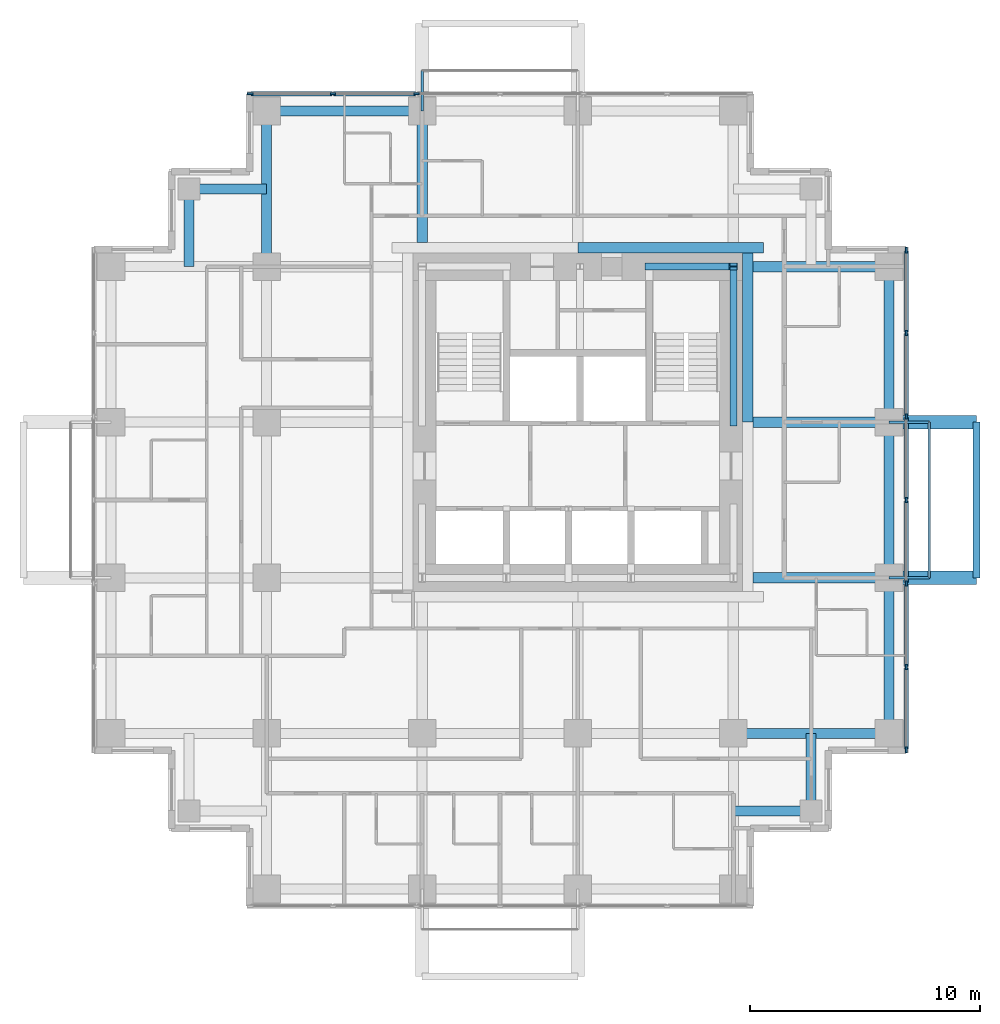
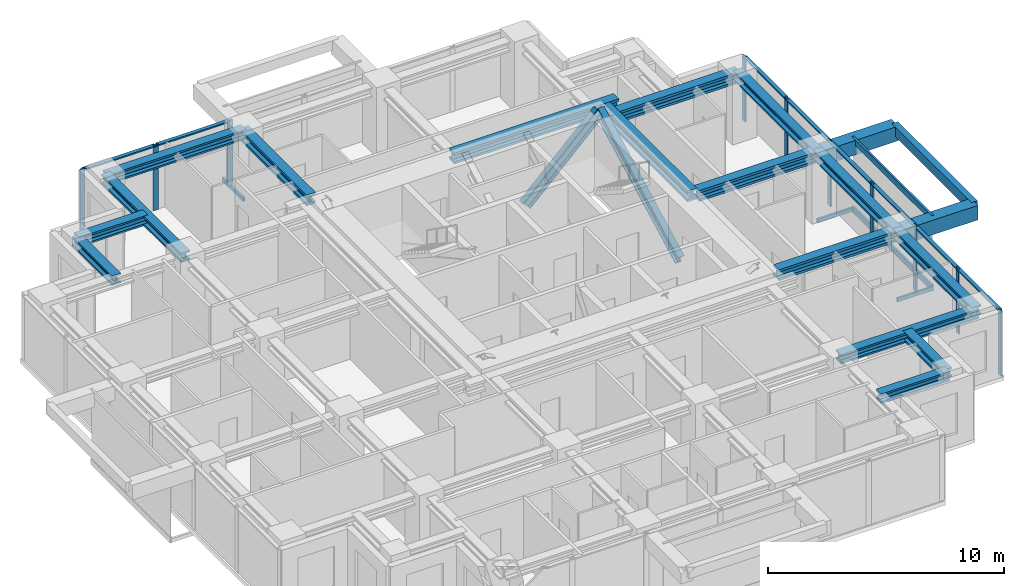
# One storey, part 3 of 10: 25 members, 19 beams, 2 elements without a shape of their own.
"""IFC4 building model written with IfcOpenShell, lengths in metres."""

from ifc_helpers import new_model, si_unit, direction, frame, origin, origin_2d, place, context, subcontext, project, spatial, rectangle, hollow_rectangle, i_section, extrude, material, material_profile, profile_set, type_object, element, aggregate, save


model = new_model("IFC4")

# Units and contexts
model_context = context("Model", 3, precision=1e-05, world=origin(), true_north=direction((0.0, 1.0)))
body_context = subcontext(model_context, "Body", "Model", "MODEL_VIEW")
ifc_project = project(units=[si_unit("LENGTHUNIT", "METRE"), si_unit("AREAUNIT", "SQUARE_METRE"), si_unit("VOLUMEUNIT", "CUBIC_METRE"), si_unit("PLANEANGLEUNIT", "RADIAN"), si_unit("MASSUNIT", "GRAM", prefix="KILO")], contexts=[model_context])

# Site, building, storey
site_placement = place(None, origin())
site = spatial("IfcSite", under=ifc_project, at=site_placement, CompositionType="ELEMENT")
building_placement = place(site_placement, origin())
building = spatial("IfcBuilding", under=site, at=building_placement, Name="Nyansa Garden Tower", CompositionType="ELEMENT")
storey_placement = place(building_placement, frame((0.0, 0.0, 174.60009765625)))
storey = spatial("IfcBuildingStorey", under=building, at=storey_placement, Name="L47", CompositionType="ELEMENT", Elevation=174.60009765625)

# Beams
ifc_material_1 = material(Name="Concrete C70/85", Category="concrete")
ifc_material_profile_1 = material_profile(ifc_material_1, rectangle(XDim=0.60009765625, YDim=0.75, at=origin_2d()), Name="RC 600x750")
ifc_profile_set_1 = profile_set([ifc_material_profile_1], Name="Concrete C70/85")
beam_type_1 = type_object("IfcBeamType", Name="Balcony cantilever beam CB1 RC 600x750", PredefinedType="BEAM", material=ifc_profile_set_1)
for number, where, z_axis, x_axis, name in (
    (1, (33.75, 13.5, 2.98486328125), (1.0, 0.0, 0.0), (0.0, 1.0, 0.0), "Balcony cantilever beam L48"),
    (2, (33.75, 20.25, 2.98486328125), (1.0, 0.0, 0.0), (0.0, 1.0, 0.0), "Balcony cantilever beam L48"),
):
    element("IfcBeam", number, at=place(storey_placement, frame(where, z_axis=z_axis, x_axis=x_axis)), inside=storey, type_object=beam_type_1, Name=name, PredefinedType="BEAM", context=body_context, shape_type="SweptSolid", body=[
        extrude(rectangle(XDim=0.60009765625, YDim=0.75, at=origin_2d()), origin(), (0.0, 0.0, 1.0), 3.800048828125),
    ])
ifc_material_2 = material(Name="Concrete C70/85", Category="concrete")
ifc_material_profile_2 = material_profile(ifc_material_2, rectangle(XDim=0.300048828125, YDim=0.5, at=origin_2d()), Name="RC 300x500")
ifc_profile_set_2 = profile_set([ifc_material_profile_2], Name="Concrete C70/85")
beam_type_2 = type_object("IfcBeamType", Name="Balcony edge beam BE1 RC 300x500", PredefinedType="BEAM", material=ifc_profile_set_2)
beam_1_placement = place(storey_placement, frame((37.550048828125, 13.5, 3.10986328125), z_axis=(0.0, 1.0, 0.0), x_axis=(-1.0, 0.0, 0.0)))
element("IfcBeam", 3, at=beam_1_placement, inside=storey, type_object=beam_type_2, Name="Balcony edge beam L48", PredefinedType="BEAM", context=body_context, shape_type="SweptSolid", body=[
    extrude(rectangle(XDim=0.300048828125, YDim=0.5, at=origin_2d()), origin(), (0.0, 0.0, 1.0), 6.75),
])

# Curtain wall, members
ifc_material_3 = material(Name="Black anodised aluminium, dark tinted double glazing", Category="aluminium")
curtain_wall_type = type_object("IfcCurtainWallType", Name="Inner skin curtain wall ISW-C", PredefinedType="USERDEFINED", material=ifc_material_3)
curtain_wall_1_placement = place(storey_placement, origin())
curtain_wall_1 = element("IfcCurtainWall", 4, at=curtain_wall_1_placement, inside=storey, type_object=curtain_wall_type, Name="Inner skin curtain wall L47 E", ObjectType="UNITISED CURTAIN WALL", PredefinedType="USERDEFINED")
ifc_material_4 = material(Name="Black anodised aluminium", Category="aluminium")
ifc_material_profile_3 = material_profile(ifc_material_4, rectangle(XDim=0.070068359375, YDim=0.25, at=origin_2d()), Name="Mullion 250x70")
ifc_profile_set_3 = profile_set([ifc_material_profile_3], Name="Black anodised aluminium")
member_type_1 = type_object("IfcMemberType", Name="Mullion ISW-C 250x70", PredefinedType="MULLION", material=ifc_profile_set_3)
member_1_placement = place(storey_placement, frame((34.5, 6.034912109375, 0.0), z_axis=(0.0, 0.0, 1.0), x_axis=(-1.0, 0.0, 0.0)))
member_1 = element("IfcMember", 5, at=member_1_placement, type_object=member_type_1, Name="ISW-C mullion 1", PredefinedType="MULLION", context=body_context, shape_type="SweptSolid", body=[
    extrude(rectangle(XDim=0.070068359375, YDim=0.25, at=origin_2d()), origin(), (0.0, 0.0, 1.0), 3.375),
])
member_2_placement = place(storey_placement, frame((34.5, 9.625, 0.0), z_axis=(0.0, 0.0, 1.0), x_axis=(-1.0, 0.0, 0.0)))
member_2 = element("IfcMember", 6, at=member_2_placement, type_object=member_type_1, Name="ISW-C mullion 2", PredefinedType="MULLION", context=body_context, shape_type="SweptSolid", body=[
    extrude(rectangle(XDim=0.070068359375, YDim=0.25, at=origin_2d()), origin(), (0.0, 0.0, 1.0), 3.375),
])
member_3_placement = place(storey_placement, frame((34.5, 13.25, 0.0), z_axis=(0.0, 0.0, 1.0), x_axis=(-1.0, 0.0, 0.0)))
member_3 = element("IfcMember", 7, at=member_3_placement, type_object=member_type_1, Name="ISW-C mullion 3", PredefinedType="MULLION", context=body_context, shape_type="SweptSolid", body=[
    extrude(rectangle(XDim=0.070068359375, YDim=0.25, at=origin_2d()), origin(), (0.0, 0.0, 1.0), 3.375),
])
member_4_placement = place(storey_placement, frame((34.5, 16.875, 0.0), z_axis=(0.0, 0.0, 1.0), x_axis=(-1.0, 0.0, 0.0)))
member_4 = element("IfcMember", 8, at=member_4_placement, type_object=member_type_1, Name="ISW-C mullion 4", PredefinedType="MULLION", context=body_context, shape_type="SweptSolid", body=[
    extrude(rectangle(XDim=0.070068359375, YDim=0.25, at=origin_2d()), origin(), (0.0, 0.0, 1.0), 3.375),
])
member_5_placement = place(storey_placement, frame((34.5, 20.5, 0.0), z_axis=(0.0, 0.0, 1.0), x_axis=(-1.0, 0.0, 0.0)))
member_5 = element("IfcMember", 9, at=member_5_placement, type_object=member_type_1, Name="ISW-C mullion 5", PredefinedType="MULLION", context=body_context, shape_type="SweptSolid", body=[
    extrude(rectangle(XDim=0.070068359375, YDim=0.25, at=origin_2d()), origin(), (0.0, 0.0, 1.0), 3.375),
])
member_6_placement = place(storey_placement, frame((34.5, 24.125, 0.0), z_axis=(0.0, 0.0, 1.0), x_axis=(-1.0, 0.0, 0.0)))
member_6 = element("IfcMember", 10, at=member_6_placement, type_object=member_type_1, Name="ISW-C mullion 6", PredefinedType="MULLION", context=body_context, shape_type="SweptSolid", body=[
    extrude(rectangle(XDim=0.070068359375, YDim=0.25, at=origin_2d()), origin(), (0.0, 0.0, 1.0), 3.375),
])
member_7_placement = place(storey_placement, frame((34.5, 27.715087890625, 0.0), z_axis=(0.0, 0.0, 1.0), x_axis=(-1.0, 0.0, 0.0)))
member_7 = element("IfcMember", 11, at=member_7_placement, type_object=member_type_1, Name="ISW-C mullion 7", PredefinedType="MULLION", context=body_context, shape_type="SweptSolid", body=[
    extrude(rectangle(XDim=0.070068359375, YDim=0.25, at=origin_2d()), origin(), (0.0, 0.0, 1.0), 3.375),
])

curtain_wall_2_placement = place(storey_placement, origin())
curtain_wall_2 = element("IfcCurtainWall", 12, at=curtain_wall_2_placement, inside=storey, type_object=curtain_wall_type, Name="Inner skin curtain wall L47 N", ObjectType="UNITISED CURTAIN WALL", PredefinedType="USERDEFINED")
member_8_placement = place(storey_placement, frame((13.25, 34.5, 0.0), z_axis=(0.0, 0.0, 1.0), x_axis=(0.0, -1.0, 0.0)))
member_8 = element("IfcMember", 13, at=member_8_placement, type_object=member_type_1, Name="ISW-C mullion 5", PredefinedType="MULLION", context=body_context, shape_type="SweptSolid", body=[
    extrude(rectangle(XDim=0.070068359375, YDim=0.25, at=origin_2d()), origin(), (0.0, 0.0, 1.0), 3.375),
])
member_9_placement = place(storey_placement, frame((9.625, 34.5, 0.0), z_axis=(0.0, 0.0, 1.0), x_axis=(0.0, -1.0, 0.0)))
member_9 = element("IfcMember", 14, at=member_9_placement, type_object=member_type_1, Name="ISW-C mullion 6", PredefinedType="MULLION", context=body_context, shape_type="SweptSolid", body=[
    extrude(rectangle(XDim=0.070068359375, YDim=0.25, at=origin_2d()), origin(), (0.0, 0.0, 1.0), 3.375),
])
member_10_placement = place(storey_placement, frame((6.034912109375, 34.5, 0.0), z_axis=(0.0, 0.0, 1.0), x_axis=(0.0, -1.0, 0.0)))
member_10 = element("IfcMember", 15, at=member_10_placement, type_object=member_type_1, Name="ISW-C mullion 7", PredefinedType="MULLION", context=body_context, shape_type="SweptSolid", body=[
    extrude(rectangle(XDim=0.070068359375, YDim=0.25, at=origin_2d()), origin(), (0.0, 0.0, 1.0), 3.375),
])

# Members
ifc_material_5 = material(Name="Steel S355, black powder coated", Category="steel")
ifc_material_profile_4 = material_profile(ifc_material_5, hollow_rectangle(XDim=0.10009765625, YDim=0.199951171875, WallThickness=0.008056640625, at=origin_2d()), Name="RHS 200x100x8")
ifc_profile_set_4 = profile_set([ifc_material_profile_4], Name="Steel S355, black powder coated")
member_type_2 = type_object("IfcMemberType", Name="Outer skin bracket arm RHS 200x100x8", PredefinedType="USERDEFINED", material=ifc_profile_set_4)
for number, where, z_axis, x_axis, name in (
    (16, (33.75, 13.5, -0.375), (1.0, 0.0, 0.0), (0.0, 1.0, 0.0), "Outer skin bracket arm"),
    (17, (33.75, 20.25, -0.375), (1.0, 0.0, 0.0), (0.0, 1.0, 0.0), "Outer skin bracket arm"),
    (18, (13.5, 33.75, -0.375), (0.0, 1.0, 0.0), (-1.0, 0.0, 0.0), "Outer skin bracket arm"),
):
    element("IfcMember", number, at=place(storey_placement, frame(where, z_axis=z_axis, x_axis=x_axis)), inside=storey, type_object=member_type_2, Name=name, ObjectType="OUTER SKIN BRACKET", PredefinedType="USERDEFINED", context=body_context, shape_type="SweptSolid", body=[
        extrude(hollow_rectangle(XDim=0.10009765625, YDim=0.199951171875, WallThickness=0.008056640625, at=origin_2d()), origin(), (0.0, 0.0, 1.0), 1.75),
    ])
ifc_material_6 = material(Name="Steel S355, black powder coated", Category="steel")
ifc_material_profile_5 = material_profile(ifc_material_6, hollow_rectangle(XDim=0.10009765625, YDim=0.300048828125, WallThickness=0.010009765625, at=origin_2d()), Name="RHS 300x100x10")
ifc_profile_set_5 = profile_set([ifc_material_profile_5], Name="Steel S355, black powder coated")
member_type_3 = type_object("IfcMemberType", Name="Outer skin rail RHS 300x100x10", PredefinedType="USERDEFINED", material=ifc_profile_set_5)
for number, where, z_axis, x_axis, name in (
    (19, (35.5, 13.5, -0.375), (0.0, 1.0, 0.0), (-1.0, 0.0, 0.0), "Outer skin rail L47"),
    (20, (35.5, 13.5, 3.224853515625), (0.0, 1.0, 0.0), (-1.0, 0.0, 0.0), "Outer skin rail L47 head"),
):
    element("IfcMember", number, at=place(storey_placement, frame(where, z_axis=z_axis, x_axis=x_axis)), inside=storey, type_object=member_type_3, Name=name, ObjectType="OUTER SKIN RAIL", PredefinedType="USERDEFINED", context=body_context, shape_type="SweptSolid", body=[
        extrude(hollow_rectangle(XDim=0.10009765625, YDim=0.300048828125, WallThickness=0.010009765625, at=origin_2d()), origin(), (0.0, 0.0, 1.0), 6.75),
    ])
ifc_material_7 = material(Name="Steel S355", Category="steel")
ifc_material_profile_6 = material_profile(ifc_material_7, i_section(OverallWidth=0.305908203125, OverallDepth=0.52392578125, WebThickness=0.02099609375, FlangeThickness=0.0400390625, FilletRadius=0.027099609375, at=origin_2d()), Name="HE 500 M")
ifc_profile_set_6 = profile_set([ifc_material_profile_6], Name="Steel S355")
member_type_4 = type_object("IfcMemberType", Name="Perimeter brace HE 500 M", PredefinedType="BRACE", material=ifc_profile_set_6)
member_11_placement = place(storey_placement, frame((23.35009765625, 27.0, 0.0), z_axis=(0.711971340796, 0.0, 0.702208523079), x_axis=(0.0, 1.0, 0.0)))
element("IfcMember", 21, at=member_11_placement, inside=storey, type_object=member_type_4, Name="Core brace CN4 L47", PredefinedType="BRACE", context=body_context, shape_type="SweptSolid", body=[
    extrude(i_section(OverallWidth=0.305908203125, OverallDepth=0.52392578125, WebThickness=0.02099609375, FlangeThickness=0.0400390625, FilletRadius=0.027099609375, at=origin_2d()), origin(), (0.0, 0.0, 1.0), 5.12646484375),
])
member_12_placement = place(storey_placement, frame((27.0, 20.199951171875, 0.0), z_axis=(0.0, 0.883797178129, 0.467870225524), x_axis=(-1.0, 0.0, 0.0)))
element("IfcMember", 22, at=member_12_placement, inside=storey, type_object=member_type_4, Name="Core brace CE8 L47", PredefinedType="BRACE", context=body_context, shape_type="SweptSolid", body=[
    extrude(i_section(OverallWidth=0.305908203125, OverallDepth=0.52392578125, WebThickness=0.02099609375, FlangeThickness=0.0400390625, FilletRadius=0.027099609375, at=origin_2d()), origin(), (0.0, 0.0, 1.0), 7.694091796875),
])

# Beams
ifc_material_8 = material(Name="Steel S355", Category="steel")
ifc_material_profile_7 = material_profile(ifc_material_8, i_section(OverallWidth=0.431884765625, OverallDepth=0.498046875, WebThickness=0.0556640625, FlangeThickness=0.0888671875, FilletRadius=0.014892578125, at=origin_2d()), Name="HD 400x744")
ifc_profile_set_7 = profile_set([ifc_material_profile_7], Name="Steel S355")
beam_type_3 = type_object("IfcBeamType", Name="Steel beam SBC1-744 HD 400x744", PredefinedType="BEAM", material=ifc_profile_set_7)
for number, where, z_axis, x_axis, name in (
    (23, (6.75, 27.0, 3.1259765625), (0.0, 1.0, 0.0), (-1.0, 0.0, 0.0), "Steel beam 3/H-3/J L48"),
    (24, (27.0, 6.75, 3.1259765625), (1.0, 0.0, 0.0), (0.0, 1.0, 0.0), "Steel beam 6/E-7/E L48"),
):
    element("IfcBeam", number, at=place(storey_placement, frame(where, z_axis=z_axis, x_axis=x_axis)), inside=storey, type_object=beam_type_3, Name=name, PredefinedType="BEAM", context=body_context, shape_type="SweptSolid", body=[
        extrude(i_section(OverallWidth=0.431884765625, OverallDepth=0.498046875, WebThickness=0.0556640625, FlangeThickness=0.0888671875, FilletRadius=0.014892578125, at=origin_2d()), origin(), (0.0, 0.0, 1.0), 6.75),
    ])
ifc_material_9 = material(Name="Steel S355", Category="steel")
ifc_material_profile_8 = material_profile(ifc_material_9, i_section(OverallWidth=0.4541015625, OverallDepth=0.569091796875, WebThickness=0.077880859375, FlangeThickness=0.125, FilletRadius=0.014892578125, at=origin_2d()), Name="HD 400x1086")
ifc_profile_set_8 = profile_set([ifc_material_profile_8], Name="Steel S355")
beam_type_4 = type_object("IfcBeamType", Name="Steel beam SCL-1086 HD 400x1086", PredefinedType="BEAM", material=ifc_profile_set_8)
beam_2_placement = place(storey_placement, frame((13.5, 28.050048828125, 3.09033203125), z_axis=(0.0, 1.0, 0.0), x_axis=(-1.0, 0.0, 0.0)))
element("IfcBeam", 25, at=beam_2_placement, inside=storey, type_object=beam_type_4, Name="Steel beam 4/28.050-4/J L48", PredefinedType="BEAM", context=body_context, shape_type="SweptSolid", body=[
    extrude(i_section(OverallWidth=0.4541015625, OverallDepth=0.569091796875, WebThickness=0.077880859375, FlangeThickness=0.125, FilletRadius=0.014892578125, at=origin_2d()), origin(), (0.0, 0.0, 1.0), 5.699951171875),
])
for number, where, z_axis, x_axis, name in (
    (26, (27.85009765625, 13.5, 3.09033203125), (1.0, 0.0, 0.0), (0.0, 1.0, 0.0), "Steel beam 27.850/F-7/F L48"),
    (27, (27.85009765625, 20.25, 3.09033203125), (1.0, 0.0, 0.0), (0.0, 1.0, 0.0), "Steel beam 27.850/G-7/G L48"),
    (28, (27.85009765625, 27.0, 3.09033203125), (1.0, 0.0, 0.0), (0.0, 1.0, 0.0), "Steel beam 27.850/H-7/H L48"),
):
    element("IfcBeam", number, at=place(storey_placement, frame(where, z_axis=z_axis, x_axis=x_axis)), inside=storey, type_object=beam_type_4, Name=name, PredefinedType="BEAM", context=body_context, shape_type="SweptSolid", body=[
        extrude(i_section(OverallWidth=0.4541015625, OverallDepth=0.569091796875, WebThickness=0.077880859375, FlangeThickness=0.125, FilletRadius=0.014892578125, at=origin_2d()), origin(), (0.0, 0.0, 1.0), 5.89990234375),
    ])
beam_3_placement = place(storey_placement, frame((27.626953125, 20.25, 3.09033203125), z_axis=(0.0, 1.0, 0.0), x_axis=(-1.0, 0.0, 0.0)))
element("IfcBeam", 29, at=beam_3_placement, inside=storey, type_object=beam_type_4, Name="Steel core ledger beam E.2 L48", PredefinedType="BEAM", context=body_context, shape_type="SweptSolid", body=[
    extrude(i_section(OverallWidth=0.4541015625, OverallDepth=0.569091796875, WebThickness=0.077880859375, FlangeThickness=0.125, FilletRadius=0.014892578125, at=origin_2d()), origin(), (0.0, 0.0, 1.0), 7.35009765625),
])
beam_4_placement = place(storey_placement, frame((28.300048828125, 27.826904296875, 3.09033203125), z_axis=(-1.0, 0.0, 0.0), x_axis=(0.0, -1.0, 0.0)))
element("IfcBeam", 30, at=beam_4_placement, inside=storey, type_object=beam_type_4, Name="Steel core ledger beam N.1 L48", PredefinedType="BEAM", context=body_context, shape_type="SweptSolid", body=[
    extrude(i_section(OverallWidth=0.4541015625, OverallDepth=0.569091796875, WebThickness=0.077880859375, FlangeThickness=0.125, FilletRadius=0.014892578125, at=origin_2d()), origin(), (0.0, 0.0, 1.0), 8.050048828125),
])
ifc_material_10 = material(Name="Steel S355", Category="steel")
ifc_material_profile_9 = material_profile(ifc_material_10, i_section(OverallWidth=0.431884765625, OverallDepth=0.498046875, WebThickness=0.0556640625, FlangeThickness=0.0888671875, FilletRadius=0.014892578125, at=origin_2d()), Name="HD 400x744")
ifc_profile_set_9 = profile_set([ifc_material_profile_9], Name="Steel S355")
beam_type_5 = type_object("IfcBeamType", Name="Steel beam SEBC-744 HD 400x744", PredefinedType="BEAM", material=ifc_profile_set_9)
for number, where, z_axis, x_axis, name in (
    (31, (6.75, 33.75, 3.1259765625), (1.0, 0.0, 0.0), (0.0, 1.0, 0.0), "Steel edge beam 3/J-4/J L48"),
    (32, (33.75, 6.75, 3.1259765625), (0.0, 1.0, 0.0), (-1.0, 0.0, 0.0), "Steel edge beam 7/E-7/F L48"),
    (33, (33.75, 13.5, 3.1259765625), (0.0, 1.0, 0.0), (-1.0, 0.0, 0.0), "Steel edge beam 7/F-7/G L48"),
    (34, (33.75, 20.25, 3.1259765625), (0.0, 1.0, 0.0), (-1.0, 0.0, 0.0), "Steel edge beam 7/G-7/H L48"),
):
    element("IfcBeam", number, at=place(storey_placement, frame(where, z_axis=z_axis, x_axis=x_axis)), inside=storey, type_object=beam_type_5, Name=name, PredefinedType="BEAM", context=body_context, shape_type="SweptSolid", body=[
        extrude(i_section(OverallWidth=0.431884765625, OverallDepth=0.498046875, WebThickness=0.0556640625, FlangeThickness=0.0888671875, FilletRadius=0.014892578125, at=origin_2d()), origin(), (0.0, 0.0, 1.0), 6.75),
    ])
ifc_material_11 = material(Name="Steel S355", Category="steel")
ifc_material_profile_10 = material_profile(ifc_material_11, i_section(OverallWidth=0.431884765625, OverallDepth=0.498046875, WebThickness=0.0556640625, FlangeThickness=0.0888671875, FilletRadius=0.014892578125, at=origin_2d()), Name="HD 400x744")
ifc_profile_set_10 = profile_set([ifc_material_profile_10], Name="Steel S355")
beam_type_6 = type_object("IfcBeamType", Name="Steel beam SSB1-744 HD 400x744", PredefinedType="BEAM", material=ifc_profile_set_10)
for number, where, z_axis, x_axis, name in (
    (35, (30.375, 3.375, 3.1259765625), (0.0, 1.0, 0.0), (-1.0, 0.0, 0.0), "Steel step beam 30.375/3.375 L48"),
    (36, (30.375, 3.375, 3.1259765625), (-1.0, 0.0, 0.0), (0.0, -1.0, 0.0), "Steel step beam 30.375/3.375 L48"),
    (37, (3.375, 30.375, 3.1259765625), (0.0, -1.0, 0.0), (1.0, 0.0, 0.0), "Steel step beam 3.375/30.375 L48"),
    (38, (3.375, 30.375, 3.1259765625), (1.0, 0.0, 0.0), (0.0, 1.0, 0.0), "Steel step beam 3.375/30.375 L48"),
):
    element("IfcBeam", number, at=place(storey_placement, frame(where, z_axis=z_axis, x_axis=x_axis)), inside=storey, type_object=beam_type_6, Name=name, PredefinedType="BEAM", context=body_context, shape_type="SweptSolid", body=[
        extrude(i_section(OverallWidth=0.431884765625, OverallDepth=0.498046875, WebThickness=0.0556640625, FlangeThickness=0.0888671875, FilletRadius=0.014892578125, at=origin_2d()), origin(), (0.0, 0.0, 1.0), 3.375),
    ])

# Member
ifc_material_12 = material(Name="Black anodised aluminium", Category="aluminium")
ifc_material_profile_11 = material_profile(ifc_material_12, rectangle(XDim=0.179931640625, YDim=0.070068359375, at=origin_2d()), Name="Transom 180x70")
ifc_profile_set_11 = profile_set([ifc_material_profile_11], Name="Black anodised aluminium")
member_type_5 = type_object("IfcMemberType", Name="Transom ISW-C 180x70", PredefinedType="USERDEFINED", material=ifc_profile_set_11)
member_13_placement = place(storey_placement, frame((34.5, 6.070068359375, 3.33984375), z_axis=(0.0, 1.0, 0.0), x_axis=(-1.0, 0.0, 0.0)))
member_13 = element("IfcMember", 39, at=member_13_placement, type_object=member_type_5, Name="ISW-C transom 1", ObjectType="TRANSOM", PredefinedType="USERDEFINED", context=body_context, shape_type="SweptSolid", body=[
    extrude(rectangle(XDim=0.179931640625, YDim=0.070068359375, at=origin_2d()), origin(), (0.0, 0.0, 1.0), 3.52001953125),
])

member_14_placement = place(storey_placement, frame((34.5, 9.659912109375, 3.33984375), z_axis=(0.0, 1.0, 0.0), x_axis=(-1.0, 0.0, 0.0)))
member_14 = element("IfcMember", 40, at=member_14_placement, type_object=member_type_5, Name="ISW-C transom 2", ObjectType="TRANSOM", PredefinedType="USERDEFINED", context=body_context, shape_type="SweptSolid", body=[
    extrude(rectangle(XDim=0.179931640625, YDim=0.070068359375, at=origin_2d()), origin(), (0.0, 0.0, 1.0), 3.55517578125),
])

member_15_placement = place(storey_placement, frame((34.5, 13.284912109375, 3.33984375), z_axis=(0.0, 1.0, 0.0), x_axis=(-1.0, 0.0, 0.0)))
member_15 = element("IfcMember", 41, at=member_15_placement, type_object=member_type_5, Name="ISW-C transom 3", ObjectType="TRANSOM", PredefinedType="USERDEFINED", context=body_context, shape_type="SweptSolid", body=[
    extrude(rectangle(XDim=0.179931640625, YDim=0.070068359375, at=origin_2d()), origin(), (0.0, 0.0, 1.0), 3.55517578125),
])

member_16_placement = place(storey_placement, frame((34.5, 16.909912109375, 3.33984375), z_axis=(0.0, 1.0, 0.0), x_axis=(-1.0, 0.0, 0.0)))
member_16 = element("IfcMember", 42, at=member_16_placement, type_object=member_type_5, Name="ISW-C transom 4", ObjectType="TRANSOM", PredefinedType="USERDEFINED", context=body_context, shape_type="SweptSolid", body=[
    extrude(rectangle(XDim=0.179931640625, YDim=0.070068359375, at=origin_2d()), origin(), (0.0, 0.0, 1.0), 3.55517578125),
])

member_17_placement = place(storey_placement, frame((34.5, 20.534912109375, 3.33984375), z_axis=(0.0, 1.0, 0.0), x_axis=(-1.0, 0.0, 0.0)))
member_17 = element("IfcMember", 43, at=member_17_placement, type_object=member_type_5, Name="ISW-C transom 5", ObjectType="TRANSOM", PredefinedType="USERDEFINED", context=body_context, shape_type="SweptSolid", body=[
    extrude(rectangle(XDim=0.179931640625, YDim=0.070068359375, at=origin_2d()), origin(), (0.0, 0.0, 1.0), 3.55517578125),
])

member_18_placement = place(storey_placement, frame((34.5, 24.159912109375, 3.33984375), z_axis=(0.0, 1.0, 0.0), x_axis=(-1.0, 0.0, 0.0)))
member_18 = element("IfcMember", 44, at=member_18_placement, type_object=member_type_5, Name="ISW-C transom 6", ObjectType="TRANSOM", PredefinedType="USERDEFINED", context=body_context, shape_type="SweptSolid", body=[
    extrude(rectangle(XDim=0.179931640625, YDim=0.070068359375, at=origin_2d()), origin(), (0.0, 0.0, 1.0), 3.52001953125),
])

aggregate(curtain_wall_1, [member_1, member_2, member_3, member_4, member_5, member_6, member_7, member_13, member_14, member_15, member_16, member_17, member_18])

member_19_placement = place(storey_placement, frame((13.215087890625, 34.5, 3.33984375), z_axis=(-1.0, 0.0, 0.0), x_axis=(0.0, -1.0, 0.0)))
member_19 = element("IfcMember", 45, at=member_19_placement, type_object=member_type_5, Name="ISW-C transom 5", ObjectType="TRANSOM", PredefinedType="USERDEFINED", context=body_context, shape_type="SweptSolid", body=[
    extrude(rectangle(XDim=0.179931640625, YDim=0.070068359375, at=origin_2d()), origin(), (0.0, 0.0, 1.0), 3.55517578125),
])

member_20_placement = place(storey_placement, frame((9.590087890625, 34.5, 3.33984375), z_axis=(-1.0, 0.0, 0.0), x_axis=(0.0, -1.0, 0.0)))
member_20 = element("IfcMember", 46, at=member_20_placement, type_object=member_type_5, Name="ISW-C transom 6", ObjectType="TRANSOM", PredefinedType="USERDEFINED", context=body_context, shape_type="SweptSolid", body=[
    extrude(rectangle(XDim=0.179931640625, YDim=0.070068359375, at=origin_2d()), origin(), (0.0, 0.0, 1.0), 3.52001953125),
])

aggregate(curtain_wall_2, [member_8, member_9, member_10, member_19, member_20])

save(model, "model.ifc")
